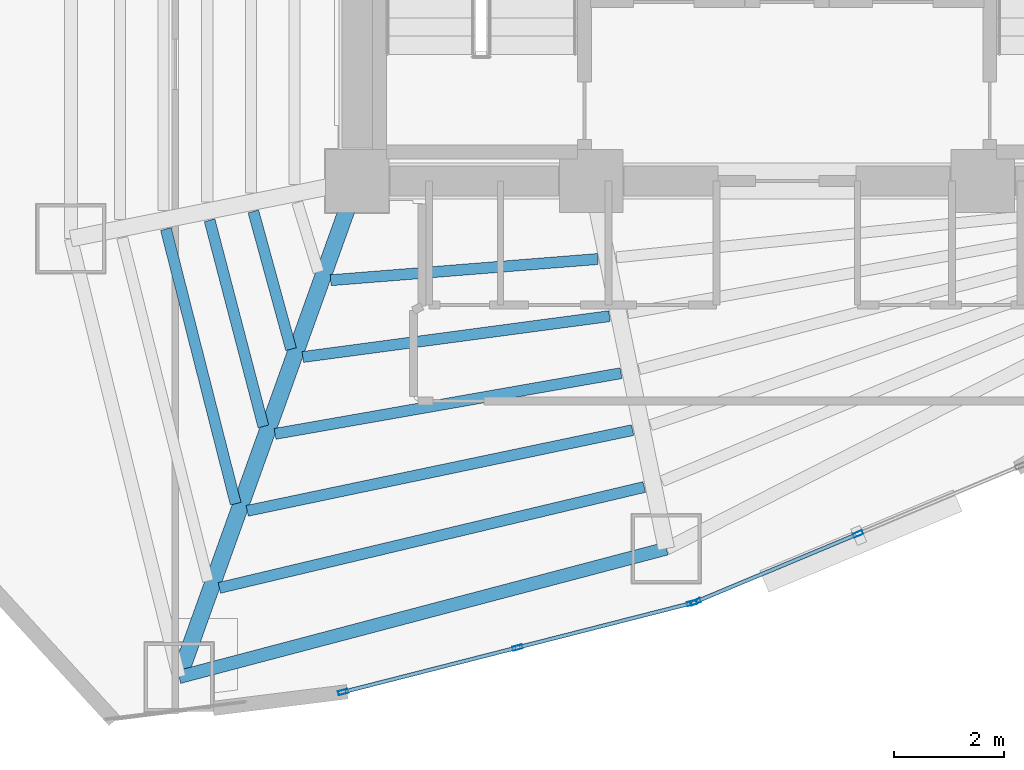
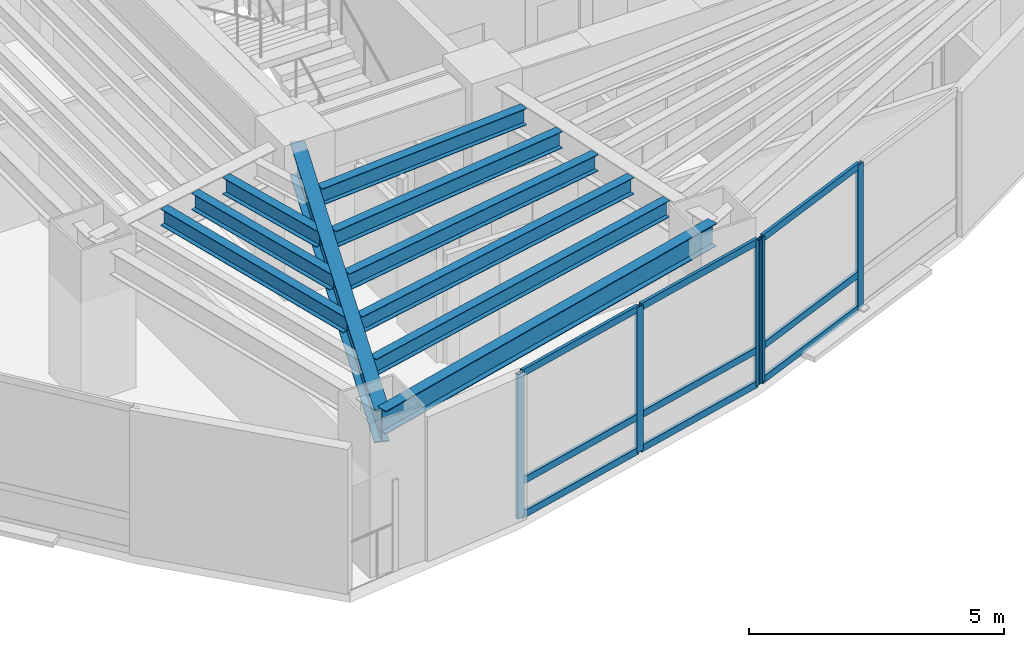
# One storey, part 5 of 23: 14 members, 10 beams, 2 elements without a shape of their own.
"""IFC4 building model written with IfcOpenShell, lengths in metres."""

from ifc_helpers import new_model, si_unit, direction, frame, origin, origin_2d, place, context, subcontext, project, spatial, hollow_rectangle, i_section, extrude, material, layer, layer_set, material_profile, profile_set, type_object, element, aggregate, save


model = new_model("IFC4")

# Units and contexts
model_context = context("Model", 3, precision=1e-05, world=origin(), true_north=direction((0.0, 1.0)))
body_context = subcontext(model_context, "Body", "Model", "MODEL_VIEW")
ifc_project = project(units=[si_unit("LENGTHUNIT", "METRE"), si_unit("AREAUNIT", "SQUARE_METRE"), si_unit("VOLUMEUNIT", "CUBIC_METRE"), si_unit("PLANEANGLEUNIT", "RADIAN"), si_unit("MASSUNIT", "GRAM", prefix="KILO")], contexts=[model_context])

# Site, building, storey
site_placement = place(None, origin())
site = spatial("IfcSite", under=ifc_project, at=site_placement, CompositionType="ELEMENT")
building_placement = place(site_placement, origin())
building = spatial("IfcBuilding", under=site, at=building_placement, Name="Menara Vayukalpa", CompositionType="ELEMENT")
storey_placement = place(building_placement, frame((0.0, 0.0, 103.97998046875)))
storey = spatial("IfcBuildingStorey", under=building, at=storey_placement, Name="L25", CompositionType="ELEMENT", Elevation=103.97998046875)

# Beams
ifc_material_1 = material(Name="Steel S355", Category="steel")
ifc_material_profile_1 = material_profile(ifc_material_1, i_section(OverallWidth=0.300048828125, OverallDepth=0.800048828125, WebThickness=0.013916015625, FlangeThickness=0.02587890625, at=origin_2d()), Name="WF 800x300x14x26")
ifc_profile_set_1 = profile_set([ifc_material_profile_1], Name="Steel S355")
beam_type_1 = type_object("IfcBeamType", Name="BM-PG3", PredefinedType="BEAM", material=ifc_profile_set_1)
beam_1_placement = place(storey_placement, frame((17.715576171875, 16.964599609375, 3.070068359375), z_axis=(-0.337975542909, -0.941154892882, 0.0), x_axis=(0.941154892882, -0.337975542909, 0.0)))
element("IfcBeam", 1, at=beam_1_placement, inside=storey, type_object=beam_type_1, Name="L25 Primary Radial Girder RG07", PredefinedType="BEAM", context=body_context, shape_type="SweptSolid", body=[
    extrude(i_section(OverallWidth=0.300048828125, OverallDepth=0.800048828125, WebThickness=0.013916015625, FlangeThickness=0.02587890625, at=origin_2d()), origin(), (0.0, 0.0, 1.0), 9.309814453125),
])
ifc_material_2 = material(Name="Steel S355", Category="steel")
ifc_material_profile_2 = material_profile(ifc_material_2, i_section(OverallWidth=0.199951171875, OverallDepth=0.39990234375, WebThickness=0.008056640625, FlangeThickness=0.012939453125, at=origin_2d()), Name="WF 400x200x8x13")
ifc_profile_set_2 = profile_set([ifc_material_profile_2], Name="Steel S355")
beam_type_2 = type_object("IfcBeamType", Name="BM-SJ2", PredefinedType="JOIST", material=ifc_profile_set_2)
beam_2_placement = place(storey_placement, frame((15.917236328125, 16.64794921875, 3.27001953125), z_axis=(0.263922858843, -0.964543790908, 0.0), x_axis=(0.964543790908, 0.263922858843, 0.0)))
element("IfcBeam", 2, at=beam_2_placement, inside=storey, type_object=beam_type_2, Name="L25 Secondary Floor Joist SJ06-2", PredefinedType="JOIST", context=body_context, shape_type="SweptSolid", body=[
    extrude(i_section(OverallWidth=0.199951171875, OverallDepth=0.39990234375, WebThickness=0.008056640625, FlangeThickness=0.012939453125, at=origin_2d()), origin(), (0.0, 0.0, 1.0), 2.590087890625),
])
beam_3_placement = place(storey_placement, frame((15.123779296875, 16.488037109375, 3.27001953125), z_axis=(0.252406469257, -0.967621296933, 0.0), x_axis=(0.967621296933, 0.252406469257, 0.0)))
element("IfcBeam", 3, at=beam_3_placement, inside=storey, type_object=beam_type_2, Name="L25 Secondary Floor Joist SJ06-3", PredefinedType="JOIST", context=body_context, shape_type="SweptSolid", body=[
    extrude(i_section(OverallWidth=0.199951171875, OverallDepth=0.39990234375, WebThickness=0.008056640625, FlangeThickness=0.012939453125, at=origin_2d()), origin(), (0.0, 0.0, 1.0), 3.865234375),
])
beam_4_placement = place(storey_placement, frame((14.330810546875, 16.328369140625, 3.27001953125), z_axis=(0.246311066692, -0.969190826631, 0.0), x_axis=(0.969190826631, 0.246311066692, 0.0)))
element("IfcBeam", 4, at=beam_4_placement, inside=storey, type_object=beam_type_2, Name="L25 Secondary Floor Joist SJ06-4", PredefinedType="JOIST", context=body_context, shape_type="SweptSolid", body=[
    extrude(i_section(OverallWidth=0.199951171875, OverallDepth=0.39990234375, WebThickness=0.008056640625, FlangeThickness=0.012939453125, at=origin_2d()), origin(), (0.0, 0.0, 1.0), 5.140380859375),
])
beam_5_placement = place(storey_placement, frame((17.318603515625, 15.40087890625, 3.27001953125), z_axis=(0.996868534468, 0.079076703187, 0.0), x_axis=(-0.079076703187, 0.996868534468, 0.0)))
element("IfcBeam", 5, at=beam_5_placement, inside=storey, type_object=beam_type_2, Name="L25 Secondary Floor Joist SJ07-1", PredefinedType="JOIST", context=body_context, shape_type="SweptSolid", body=[
    extrude(i_section(OverallWidth=0.199951171875, OverallDepth=0.39990234375, WebThickness=0.008056640625, FlangeThickness=0.012939453125, at=origin_2d()), origin(), (0.0, 0.0, 1.0), 4.862548828125),
])
beam_6_placement = place(storey_placement, frame((16.814208984375, 14.008056640625, 3.27001953125), z_axis=(0.991248408809, 0.132009817941, 0.0), x_axis=(-0.132009817941, 0.991248408809, 0.0)))
element("IfcBeam", 6, at=beam_6_placement, inside=storey, type_object=beam_type_2, Name="L25 Secondary Floor Joist SJ07-2", PredefinedType="JOIST", context=body_context, shape_type="SweptSolid", body=[
    extrude(i_section(OverallWidth=0.199951171875, OverallDepth=0.39990234375, WebThickness=0.008056640625, FlangeThickness=0.012939453125, at=origin_2d()), origin(), (0.0, 0.0, 1.0), 5.611083984375),
])
beam_7_placement = place(storey_placement, frame((16.309814453125, 12.613037109375, 3.27001953125), z_axis=(0.984953935883, 0.172817083033, 0.0), x_axis=(-0.172817083033, 0.984953935883, 0.0)))
element("IfcBeam", 7, at=beam_7_placement, inside=storey, type_object=beam_type_2, Name="L25 Secondary Floor Joist SJ07-3", PredefinedType="JOIST", context=body_context, shape_type="SweptSolid", body=[
    extrude(i_section(OverallWidth=0.199951171875, OverallDepth=0.39990234375, WebThickness=0.008056640625, FlangeThickness=0.012939453125, at=origin_2d()), origin(), (0.0, 0.0, 1.0), 6.372802734375),
])
beam_8_placement = place(storey_placement, frame((15.805419921875, 11.216552734375, 3.27001953125), z_axis=(0.978749487369, 0.205059603471, 0.0), x_axis=(-0.205059603471, 0.978749487369, 0.0)))
element("IfcBeam", 8, at=beam_8_placement, inside=storey, type_object=beam_type_2, Name="L25 Secondary Floor Joist SJ07-4", PredefinedType="JOIST", context=body_context, shape_type="SweptSolid", body=[
    extrude(i_section(OverallWidth=0.199951171875, OverallDepth=0.39990234375, WebThickness=0.008056640625, FlangeThickness=0.012939453125, at=origin_2d()), origin(), (0.0, 0.0, 1.0), 7.1435546875),
])
beam_9_placement = place(storey_placement, frame((15.30078125, 9.819091796875, 3.27001953125), z_axis=(0.97293603101, 0.231074619036, 0.0), x_axis=(-0.231074619036, 0.97293603101, 0.0)))
element("IfcBeam", 9, at=beam_9_placement, inside=storey, type_object=beam_type_2, Name="L25 Secondary Floor Joist SJ07-5", PredefinedType="JOIST", context=body_context, shape_type="SweptSolid", body=[
    extrude(i_section(OverallWidth=0.199951171875, OverallDepth=0.39990234375, WebThickness=0.008056640625, FlangeThickness=0.012939453125, at=origin_2d()), origin(), (0.0, 0.0, 1.0), 7.9208984375),
])
ifc_material_3 = material(Name="Steel S355", Category="steel")
ifc_material_profile_3 = material_profile(ifc_material_3, i_section(OverallWidth=0.239990234375, OverallDepth=0.550048828125, WebThickness=0.010986328125, FlangeThickness=0.01904296875, at=origin_2d()), Name="WF 550x240x11x19")
ifc_profile_set_3 = profile_set([ifc_material_profile_3], Name="Steel S355")
beam_type_3 = type_object("IfcBeamType", Name="BM-SP2", PredefinedType="SPANDREL", material=ifc_profile_set_3)
beam_10_placement = place(storey_placement, frame((14.569091796875, 8.20263671875, 3.195068359375), z_axis=(0.966966857313, 0.254902131921, 0.0), x_axis=(-0.254902131921, 0.966966857313, 0.0)))
element("IfcBeam", 10, at=beam_10_placement, inside=storey, type_object=beam_type_3, Name="L25 Perimeter Spandrel Beam SP07", PredefinedType="SPANDREL", context=body_context, shape_type="SweptSolid", body=[
    extrude(i_section(OverallWidth=0.239990234375, OverallDepth=0.550048828125, WebThickness=0.010986328125, FlangeThickness=0.01904296875, at=origin_2d()), origin(), (0.0, 0.0, 1.0), 9.14111328125),
])

# Curtain wall, members
ifc_material_4 = material(Name="Anodised Terracotta Aluminium Alloy 6063-T6", Category="masonry")
ifc_layer = layer(ifc_material_4, 0.179931640625)
ifc_layer_set = layer_set([ifc_layer], Name="Anodised Terracotta Aluminium Alloy 6063-T6")
curtain_wall_type = type_object("IfcCurtainWallType", Name="CW-CW4", PredefinedType="USERDEFINED", material=ifc_layer_set)
curtain_wall_1_placement = place(storey_placement, origin())
curtain_wall_1 = element("IfcCurtainWall", 11, at=curtain_wall_1_placement, inside=storey, type_object=curtain_wall_type, Name="L25 Sky Bar Cantilever Glazed Curtain Wall CW4 16", ObjectType="UNITISED", PredefinedType="USERDEFINED")
ifc_material_5 = material(Name="Anodised Terracotta Aluminium Alloy 6063-T6", Category="masonry")
ifc_material_profile_4 = material_profile(ifc_material_5, hollow_rectangle(XDim=0.074951171875, YDim=0.179931640625, WallThickness=0.00390625, at=origin_2d()), Name="ALU 75x180x4")
ifc_profile_set_4 = profile_set([ifc_material_profile_4], Name="Anodised Terracotta Aluminium Alloy 6063-T6")
member_type_1 = type_object("IfcMemberType", Name="CWM-CW4", PredefinedType="MULLION", material=ifc_profile_set_4)
member_1_placement = place(storey_placement, frame((17.546630859375, 7.93017578125, 0.0), z_axis=(0.0, 0.0, 1.0), x_axis=(-0.247130597017, 0.968982181476, 0.0)))
member_1 = element("IfcMember", 12, at=member_1_placement, type_object=member_type_1, Name="CW4 mullion 1", PredefinedType="MULLION", context=body_context, shape_type="SweptSolid", body=[
    extrude(hollow_rectangle(XDim=0.074951171875, YDim=0.179931640625, WallThickness=0.00390625, at=origin_2d()), origin(), (0.0, 0.0, 1.0), 3.469970703125),
])
member_2_placement = place(storey_placement, frame((20.708984375, 8.736572265625, 0.0), z_axis=(0.0, 0.0, 1.0), x_axis=(-0.247130597017, 0.968982181476, 0.0)))
member_2 = element("IfcMember", 13, at=member_2_placement, type_object=member_type_1, Name="CW4 mullion 2", PredefinedType="MULLION", context=body_context, shape_type="SweptSolid", body=[
    extrude(hollow_rectangle(XDim=0.074951171875, YDim=0.179931640625, WallThickness=0.00390625, at=origin_2d()), origin(), (0.0, 0.0, 1.0), 3.469970703125),
])
member_3_placement = place(storey_placement, frame((23.87109375, 9.543212890625, 0.0), z_axis=(0.0, 0.0, 1.0), x_axis=(-0.247130597017, 0.968982181476, 0.0)))
member_3 = element("IfcMember", 14, at=member_3_placement, type_object=member_type_1, Name="CW4 mullion 3", PredefinedType="MULLION", context=body_context, shape_type="SweptSolid", body=[
    extrude(hollow_rectangle(XDim=0.074951171875, YDim=0.179931640625, WallThickness=0.00390625, at=origin_2d()), origin(), (0.0, 0.0, 1.0), 3.469970703125),
])

curtain_wall_2_placement = place(storey_placement, origin())
curtain_wall_2 = element("IfcCurtainWall", 15, at=curtain_wall_2_placement, inside=storey, type_object=curtain_wall_type, Name="L25 Sky Bar Cantilever Glazed Curtain Wall CW4 17", ObjectType="UNITISED", PredefinedType="USERDEFINED")
member_4_placement = place(storey_placement, frame((23.94189453125, 9.56689453125, 0.0), z_axis=(0.0, 0.0, 1.0), x_axis=(-0.38589358437, 0.922543300632, 0.0)))
member_4 = element("IfcMember", 16, at=member_4_placement, type_object=member_type_1, Name="CW4 mullion 1", PredefinedType="MULLION", context=body_context, shape_type="SweptSolid", body=[
    extrude(hollow_rectangle(XDim=0.074951171875, YDim=0.179931640625, WallThickness=0.00390625, at=origin_2d()), origin(), (0.0, 0.0, 1.0), 3.469970703125),
])
member_5_placement = place(storey_placement, frame((26.88671875, 10.798583984375, 0.0), z_axis=(0.0, 0.0, 1.0), x_axis=(-0.38589358437, 0.922543300632, 0.0)))
member_5 = element("IfcMember", 17, at=member_5_placement, type_object=member_type_1, Name="CW4 mullion 2", PredefinedType="MULLION", context=body_context, shape_type="SweptSolid", body=[
    extrude(hollow_rectangle(XDim=0.074951171875, YDim=0.179931640625, WallThickness=0.00390625, at=origin_2d()), origin(), (0.0, 0.0, 1.0), 3.469970703125),
])

# Member
ifc_material_6 = material(Name="Anodised Terracotta Aluminium Alloy 6063-T6", Category="masonry")
ifc_material_profile_5 = material_profile(ifc_material_6, hollow_rectangle(XDim=0.070068359375, YDim=0.1650390625, WallThickness=0.00390625, at=origin_2d()), Name="ALU 70x165x4")
ifc_profile_set_5 = profile_set([ifc_material_profile_5], Name="Anodised Terracotta Aluminium Alloy 6063-T6")
member_type_2 = type_object("IfcMemberType", Name="CWT-CW4", PredefinedType="USERDEFINED", material=ifc_profile_set_5)
member_6_placement = place(storey_placement, frame((17.5830078125, 7.939453125, 0.034912109375), z_axis=(0.968992251475, 0.247091109878, 0.0), x_axis=(-0.247091109878, 0.968992251475, 0.0)))
member_6 = element("IfcMember", 18, at=member_6_placement, type_object=member_type_2, Name="CW4 transom 1.1", ObjectType="TRANSOM", PredefinedType="USERDEFINED", context=body_context, shape_type="SweptSolid", body=[
    extrude(hollow_rectangle(XDim=0.070068359375, YDim=0.1650390625, WallThickness=0.00390625, at=origin_2d()), origin(), (0.0, 0.0, 1.0), 3.1884765625),
])

member_7_placement = place(storey_placement, frame((17.5830078125, 7.939453125, 0.85009765625), z_axis=(0.968992251475, 0.247091109878, 0.0), x_axis=(-0.247091109878, 0.968992251475, 0.0)))
member_7 = element("IfcMember", 19, at=member_7_placement, type_object=member_type_2, Name="CW4 transom 1.2", ObjectType="TRANSOM", PredefinedType="USERDEFINED", context=body_context, shape_type="SweptSolid", body=[
    extrude(hollow_rectangle(XDim=0.070068359375, YDim=0.1650390625, WallThickness=0.00390625, at=origin_2d()), origin(), (0.0, 0.0, 1.0), 3.1884765625),
])

member_8_placement = place(storey_placement, frame((17.5830078125, 7.939453125, 3.43505859375), z_axis=(0.968992251475, 0.247091109878, 0.0), x_axis=(-0.247091109878, 0.968992251475, 0.0)))
member_8 = element("IfcMember", 20, at=member_8_placement, type_object=member_type_2, Name="CW4 transom 1.3", ObjectType="TRANSOM", PredefinedType="USERDEFINED", context=body_context, shape_type="SweptSolid", body=[
    extrude(hollow_rectangle(XDim=0.070068359375, YDim=0.1650390625, WallThickness=0.00390625, at=origin_2d()), origin(), (0.0, 0.0, 1.0), 3.1884765625),
])

member_9_placement = place(storey_placement, frame((20.7451171875, 8.745849609375, 0.034912109375), z_axis=(0.968973916069, 0.24716300285, 0.0), x_axis=(-0.24716300285, 0.968973916069, 0.0)))
member_9 = element("IfcMember", 21, at=member_9_placement, type_object=member_type_2, Name="CW4 transom 2.1", ObjectType="TRANSOM", PredefinedType="USERDEFINED", context=body_context, shape_type="SweptSolid", body=[
    extrude(hollow_rectangle(XDim=0.070068359375, YDim=0.1650390625, WallThickness=0.00390625, at=origin_2d()), origin(), (0.0, 0.0, 1.0), 3.1884765625),
])

member_10_placement = place(storey_placement, frame((20.7451171875, 8.745849609375, 0.85009765625), z_axis=(0.968973916069, 0.24716300285, 0.0), x_axis=(-0.24716300285, 0.968973916069, 0.0)))
member_10 = element("IfcMember", 22, at=member_10_placement, type_object=member_type_2, Name="CW4 transom 2.2", ObjectType="TRANSOM", PredefinedType="USERDEFINED", context=body_context, shape_type="SweptSolid", body=[
    extrude(hollow_rectangle(XDim=0.070068359375, YDim=0.1650390625, WallThickness=0.00390625, at=origin_2d()), origin(), (0.0, 0.0, 1.0), 3.1884765625),
])

member_11_placement = place(storey_placement, frame((20.7451171875, 8.745849609375, 3.43505859375), z_axis=(0.968973916069, 0.24716300285, 0.0), x_axis=(-0.24716300285, 0.968973916069, 0.0)))
member_11 = element("IfcMember", 23, at=member_11_placement, type_object=member_type_2, Name="CW4 transom 2.3", ObjectType="TRANSOM", PredefinedType="USERDEFINED", context=body_context, shape_type="SweptSolid", body=[
    extrude(hollow_rectangle(XDim=0.070068359375, YDim=0.1650390625, WallThickness=0.00390625, at=origin_2d()), origin(), (0.0, 0.0, 1.0), 3.1884765625),
])

aggregate(curtain_wall_1, [member_1, member_2, member_3, member_6, member_7, member_8, member_9, member_10, member_11])

member_12_placement = place(storey_placement, frame((23.9765625, 9.581298828125, 0.034912109375), z_axis=(0.922533742775, 0.385916433236, 0.0), x_axis=(-0.385916433236, 0.922533742775, 0.0)))
member_12 = element("IfcMember", 24, at=member_12_placement, type_object=member_type_2, Name="CW4 transom 1.1", ObjectType="TRANSOM", PredefinedType="USERDEFINED", context=body_context, shape_type="SweptSolid", body=[
    extrude(hollow_rectangle(XDim=0.070068359375, YDim=0.1650390625, WallThickness=0.00390625, at=origin_2d()), origin(), (0.0, 0.0, 1.0), 3.116943359375),
])

member_13_placement = place(storey_placement, frame((23.9765625, 9.581298828125, 0.85009765625), z_axis=(0.922533742775, 0.385916433236, 0.0), x_axis=(-0.385916433236, 0.922533742775, 0.0)))
member_13 = element("IfcMember", 25, at=member_13_placement, type_object=member_type_2, Name="CW4 transom 1.2", ObjectType="TRANSOM", PredefinedType="USERDEFINED", context=body_context, shape_type="SweptSolid", body=[
    extrude(hollow_rectangle(XDim=0.070068359375, YDim=0.1650390625, WallThickness=0.00390625, at=origin_2d()), origin(), (0.0, 0.0, 1.0), 3.116943359375),
])

member_14_placement = place(storey_placement, frame((23.9765625, 9.581298828125, 3.43505859375), z_axis=(0.922533742775, 0.385916433236, 0.0), x_axis=(-0.385916433236, 0.922533742775, 0.0)))
member_14 = element("IfcMember", 26, at=member_14_placement, type_object=member_type_2, Name="CW4 transom 1.3", ObjectType="TRANSOM", PredefinedType="USERDEFINED", context=body_context, shape_type="SweptSolid", body=[
    extrude(hollow_rectangle(XDim=0.070068359375, YDim=0.1650390625, WallThickness=0.00390625, at=origin_2d()), origin(), (0.0, 0.0, 1.0), 3.116943359375),
])

aggregate(curtain_wall_2, [member_4, member_5, member_12, member_13, member_14])

save(model, "model.ifc")
